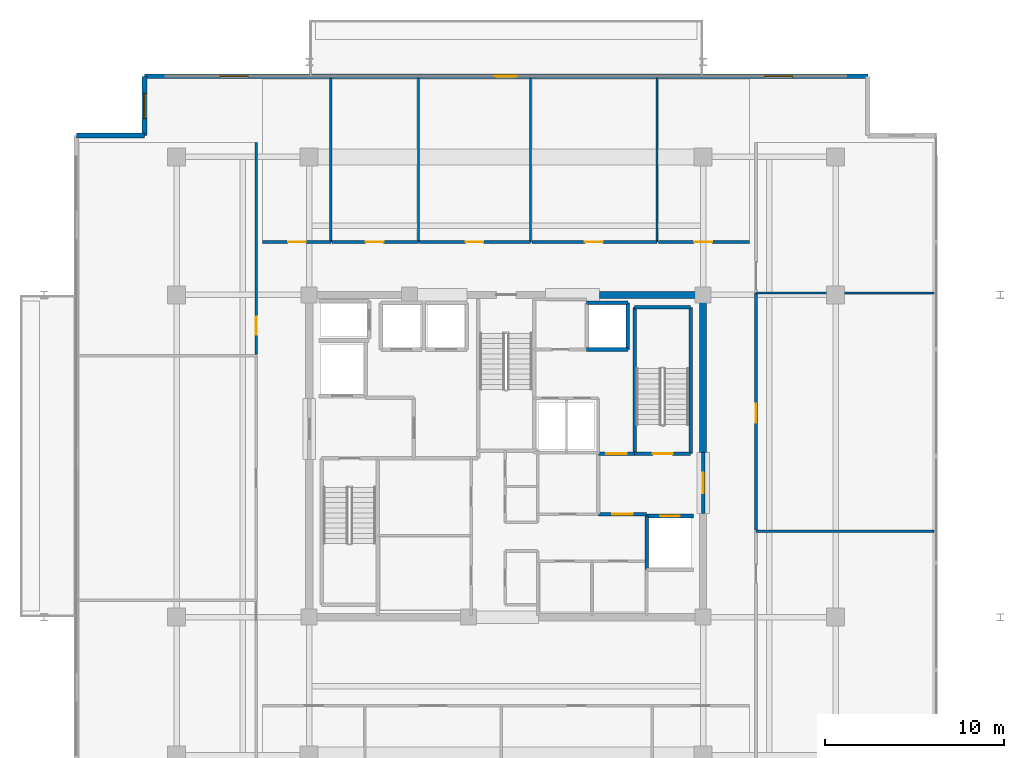
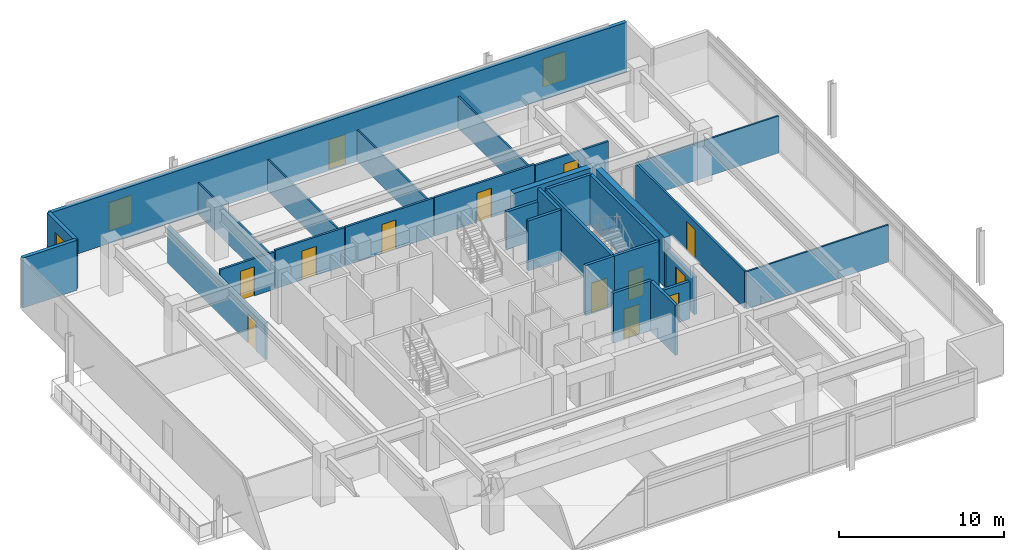
# One storey, part 13 of 18: 30 walls, 13 doors, 3 windows, 16 openings.
"""IFC4 building model written with IfcOpenShell, lengths in metres."""

from ifc_helpers import new_model, si_unit, direction, frame, frame_2d, origin, place, context, subcontext, project, spatial, rectangle, extrude, material, layer, layer_set, type_object, element, fill, save


model = new_model("IFC4")

# Units and contexts
model_context = context("Model", 3, precision=1e-05, world=origin(), true_north=direction((0.0, 1.0)))
body_context = subcontext(model_context, "Body", "Model", "MODEL_VIEW")
ifc_project = project(units=[si_unit("LENGTHUNIT", "METRE"), si_unit("AREAUNIT", "SQUARE_METRE"), si_unit("VOLUMEUNIT", "CUBIC_METRE"), si_unit("PLANEANGLEUNIT", "RADIAN"), si_unit("MASSUNIT", "GRAM", prefix="KILO")], contexts=[model_context])

# Site, building, storey
site_placement = place(None, origin())
site = spatial("IfcSite", under=ifc_project, at=site_placement, CompositionType="ELEMENT")
building_placement = place(site_placement, origin())
building = spatial("IfcBuilding", under=site, at=building_placement, Name="Kovane Verandah Tower", CompositionType="ELEMENT")
storey_placement = place(building_placement, frame((0.0, 0.0, 338.800048828125)))
storey = spatial("IfcBuildingStorey", under=building, at=storey_placement, Name="L79", CompositionType="ELEMENT", Elevation=338.800048828125)

# Wall, opening, door
ifc_material_1 = material(Name="Fire-Rated Gypsum Stud Partition", Category="gypsum")
ifc_layer_1 = layer(ifc_material_1, 0.14990234375)
ifc_layer_set_1 = layer_set([ifc_layer_1], Name="Fire-Rated Gypsum Stud Partition")
wall_type_1 = type_object("IfcWallType", Name="WL-COR-150", PredefinedType="PARTITIONING", material=ifc_layer_set_1)
wall_1_placement = place(storey_placement, frame((26.39990234375, 39.449951171875, 0.0), z_axis=(0.0, 0.0, 1.0), x_axis=(1.0, 0.0, 0.0)))
wall_1 = element("IfcWall", 1, at=wall_1_placement, inside=storey, type_object=wall_type_1, Name="L79 Focus Studio N1 Corridor Partition", PredefinedType="PARTITIONING", context=body_context, shape_type="SweptSolid", body=[
    extrude(rectangle(XDim=3.80810546875, YDim=0.14990234375, at=frame_2d((1.904052734375, 0.0))), origin(), (0.0, 0.0, 1.0), 2.75341796875),
])
opening_1_placement = place(wall_1_placement, frame((1.4189453125, 0.0, 0.0)))
opening_1 = element("IfcOpeningElement", 2, at=opening_1_placement, cuts=wall_1, Name="Opening DR-L79-022", PredefinedType="OPENING", context=body_context, shape_type="SweptSolid", body=[
    extrude(rectangle(XDim=1.0, YDim=2.14990234375, at=frame_2d((0.5, 1.074951171875))), frame((0.0, 0.074951171875, 0.0), z_axis=(0.0, -1.0, 0.0), x_axis=(1.0, 0.0, 0.0)), (0.0, 0.0, 1.0), 0.14990234375),
])
ifc_material_2 = material(Name="FSC Spotted-Gum Timber Fire-Rated Office Door", Category="wood")
door_type_1 = type_object("IfcDoorType", Name="DR-OFF-1000", OperationType="SINGLE_SWING_LEFT", PredefinedType="DOOR", material=ifc_material_2)
door_1_placement = place(opening_1_placement, origin())
door_1 = element("IfcDoor", 3, at=door_1_placement, inside=storey, type_object=door_type_1, Name="L79 Focus Studio N1 Entrance Door", OperationType="SINGLE_SWING_RIGHT", OverallHeight=2.14990234375, OverallWidth=1.0, PredefinedType="DOOR", context=body_context, shape_type="SweptSolid", body=[
    extrude(rectangle(XDim=1.0, YDim=2.14990234375, at=frame_2d((0.5, 1.074951171875))), frame((0.0, 0.02490234375, 0.0), z_axis=(0.0, -1.0, 0.0), x_axis=(1.0, 0.0, 0.0)), (0.0, 0.0, 1.0), 0.050048828125),
])
fill(opening_1, door_1)

wall_2_placement = place(storey_placement, frame((30.278076171875, 39.449951171875, 0.0), z_axis=(0.0, 0.0, 1.0), x_axis=(1.0, 0.0, 0.0)))
wall_2 = element("IfcWall", 4, at=wall_2_placement, inside=storey, type_object=wall_type_1, Name="L79 Breakout Pantry N2 Corridor Partition", PredefinedType="PARTITIONING", context=body_context, shape_type="SweptSolid", body=[
    extrude(rectangle(XDim=4.825927734375, YDim=0.14990234375, at=frame_2d((2.4130859375, 0.0))), origin(), (0.0, 0.0, 1.0), 2.849853515625),
])
opening_2_placement = place(wall_2_placement, frame((1.8779296875, 0.0, 0.0)))
opening_2 = element("IfcOpeningElement", 5, at=opening_2_placement, cuts=wall_2, Name="Opening DR-L79-023", PredefinedType="OPENING", context=body_context, shape_type="SweptSolid", body=[
    extrude(rectangle(XDim=1.0, YDim=2.14990234375, at=frame_2d((0.5, 1.074951171875))), frame((0.0, 0.074951171875, 0.0), z_axis=(0.0, -1.0, 0.0), x_axis=(1.0, 0.0, 0.0)), (0.0, 0.0, 1.0), 0.14990234375),
])
door_2_placement = place(opening_2_placement, origin())
door_2 = element("IfcDoor", 6, at=door_2_placement, inside=storey, type_object=door_type_1, Name="L79 Breakout Pantry N2 Entrance Door", OperationType="SINGLE_SWING_LEFT", OverallHeight=2.14990234375, OverallWidth=1.0, PredefinedType="DOOR", context=body_context, shape_type="SweptSolid", body=[
    extrude(rectangle(XDim=1.0, YDim=2.14990234375, at=frame_2d((0.5, 1.074951171875))), frame((0.0, 0.02490234375, 0.0), z_axis=(0.0, -1.0, 0.0), x_axis=(1.0, 0.0, 0.0)), (0.0, 0.0, 1.0), 0.050048828125),
])
fill(opening_2, door_2)

wall_3_placement = place(storey_placement, frame((35.174072265625, 39.449951171875, 0.0), z_axis=(0.0, 0.0, 1.0), x_axis=(1.0, 0.0, 0.0)))
wall_3 = element("IfcWall", 7, at=wall_3_placement, inside=storey, type_object=wall_type_1, Name="L79 Collaboration Hub N3 Corridor Partition", PredefinedType="PARTITIONING", context=body_context, shape_type="SweptSolid", body=[
    extrude(rectangle(XDim=6.18603515625, YDim=0.14990234375, at=frame_2d((3.093017578125, 0.0))), origin(), (0.0, 0.0, 1.0), 2.849853515625),
])
opening_3_placement = place(wall_3_placement, frame((2.55810546875, 0.0, 0.0)))
opening_3 = element("IfcOpeningElement", 8, at=opening_3_placement, cuts=wall_3, Name="Opening DR-L79-024", PredefinedType="OPENING", context=body_context, shape_type="SweptSolid", body=[
    extrude(rectangle(XDim=1.0, YDim=2.14990234375, at=frame_2d((0.5, 1.074951171875))), frame((0.0, 0.074951171875, 0.0), z_axis=(0.0, -1.0, 0.0), x_axis=(1.0, 0.0, 0.0)), (0.0, 0.0, 1.0), 0.14990234375),
])
door_3_placement = place(opening_3_placement, origin())
door_3 = element("IfcDoor", 9, at=door_3_placement, inside=storey, type_object=door_type_1, Name="L79 Collaboration Hub N3 Entrance Door", OperationType="SINGLE_SWING_RIGHT", OverallHeight=2.14990234375, OverallWidth=1.0, PredefinedType="DOOR", context=body_context, shape_type="SweptSolid", body=[
    extrude(rectangle(XDim=1.0, YDim=2.14990234375, at=frame_2d((0.5, 1.074951171875))), frame((0.0, 0.02490234375, 0.0), z_axis=(0.0, -1.0, 0.0), x_axis=(1.0, 0.0, 0.0)), (0.0, 0.0, 1.0), 0.050048828125),
])
fill(opening_3, door_3)

wall_4_placement = place(storey_placement, frame((41.429931640625, 39.449951171875, 0.0), z_axis=(0.0, 0.0, 1.0), x_axis=(1.0, 0.0, 0.0)))
wall_4 = element("IfcWall", 10, at=wall_4_placement, inside=storey, type_object=wall_type_1, Name="L79 Document and Print Room N4 Corridor Partition", PredefinedType="PARTITIONING", context=body_context, shape_type="SweptSolid", body=[
    extrude(rectangle(XDim=7.001953125, YDim=0.14990234375, at=frame_2d((3.5009765625, 0.0))), origin(), (0.0, 0.0, 1.0), 2.849853515625),
])
opening_4_placement = place(wall_4_placement, frame((2.966064453125, 0.0, 0.0)))
opening_4 = element("IfcOpeningElement", 11, at=opening_4_placement, cuts=wall_4, Name="Opening DR-L79-025", PredefinedType="OPENING", context=body_context, shape_type="SweptSolid", body=[
    extrude(rectangle(XDim=1.0, YDim=2.14990234375, at=frame_2d((0.5, 1.074951171875))), frame((0.0, 0.074951171875, 0.0), z_axis=(0.0, -1.0, 0.0), x_axis=(1.0, 0.0, 0.0)), (0.0, 0.0, 1.0), 0.14990234375),
])
door_4_placement = place(opening_4_placement, origin())
door_4 = element("IfcDoor", 12, at=door_4_placement, inside=storey, type_object=door_type_1, Name="L79 Document and Print Room N4 Entrance Door", OperationType="SINGLE_SWING_LEFT", OverallHeight=2.14990234375, OverallWidth=1.0, PredefinedType="DOOR", context=body_context, shape_type="SweptSolid", body=[
    extrude(rectangle(XDim=1.0, YDim=2.14990234375, at=frame_2d((0.5, 1.074951171875))), frame((0.0, 0.02490234375, 0.0), z_axis=(0.0, -1.0, 0.0), x_axis=(1.0, 0.0, 0.0)), (0.0, 0.0, 1.0), 0.050048828125),
])
fill(opening_4, door_4)

wall_5_placement = place(storey_placement, frame((48.501953125, 39.449951171875, 0.0), z_axis=(0.0, 0.0, 1.0), x_axis=(1.0, 0.0, 0.0)))
wall_5 = element("IfcWall", 13, at=wall_5_placement, inside=storey, type_object=wall_type_1, Name="L79 Open Plan Office N5 Corridor Partition", PredefinedType="PARTITIONING", context=body_context, shape_type="SweptSolid", body=[
    extrude(rectangle(XDim=5.09814453125, YDim=0.14990234375, at=frame_2d((2.549072265625, 0.0))), origin(), (0.0, 0.0, 1.0), 2.75341796875),
])
opening_5_placement = place(wall_5_placement, frame((1.9990234375, 0.0, 0.0)))
opening_5 = element("IfcOpeningElement", 14, at=opening_5_placement, cuts=wall_5, Name="Opening DR-L79-026", PredefinedType="OPENING", context=body_context, shape_type="SweptSolid", body=[
    extrude(rectangle(XDim=1.0, YDim=2.14990234375, at=frame_2d((0.5, 1.074951171875))), frame((0.0, 0.074951171875, 0.0), z_axis=(0.0, -1.0, 0.0), x_axis=(1.0, 0.0, 0.0)), (0.0, 0.0, 1.0), 0.14990234375),
])
door_5_placement = place(opening_5_placement, origin())
door_5 = element("IfcDoor", 15, at=door_5_placement, inside=storey, type_object=door_type_1, Name="L79 Open Plan Office N5 Entrance Door", OperationType="SINGLE_SWING_RIGHT", OverallHeight=2.14990234375, OverallWidth=1.0, PredefinedType="DOOR", context=body_context, shape_type="SweptSolid", body=[
    extrude(rectangle(XDim=1.0, YDim=2.14990234375, at=frame_2d((0.5, 1.074951171875))), frame((0.0, 0.02490234375, 0.0), z_axis=(0.0, -1.0, 0.0), x_axis=(1.0, 0.0, 0.0)), (0.0, 0.0, 1.0), 0.050048828125),
])
fill(opening_5, door_5)

wall_6_placement = place(storey_placement, frame((26.050048828125, 33.169921875, 0.0), z_axis=(0.0, 0.0, 1.0), x_axis=(0.0, 1.0, 0.0)))
wall_6 = element("IfcWall", 16, at=wall_6_placement, inside=storey, type_object=wall_type_1, Name="L79 Document and Print Room W3 Corridor Partition", PredefinedType="PARTITIONING", context=body_context, shape_type="SweptSolid", body=[
    extrude(rectangle(XDim=11.830078125, YDim=0.14990234375, at=frame_2d((5.9150390625, 0.0))), origin(), (0.0, 0.0, 1.0), 2.75341796875),
])
opening_6_placement = place(wall_6_placement, frame((1.114990234375, 0.0, 0.0)))
opening_6 = element("IfcOpeningElement", 17, at=opening_6_placement, cuts=wall_6, Name="Opening DR-L79-036", PredefinedType="OPENING", context=body_context, shape_type="SweptSolid", body=[
    extrude(rectangle(XDim=1.0, YDim=2.14990234375, at=frame_2d((0.5, 1.074951171875))), frame((0.0, 0.074951171875, 0.0), z_axis=(0.0, -1.0, 0.0), x_axis=(1.0, 0.0, 0.0)), (0.0, 0.0, 1.0), 0.14990234375),
])
door_6_placement = place(opening_6_placement, origin())
door_6 = element("IfcDoor", 18, at=door_6_placement, inside=storey, type_object=door_type_1, Name="L79 Document and Print Room W3 Entrance Door", OperationType="SINGLE_SWING_LEFT", OverallHeight=2.14990234375, OverallWidth=1.0, PredefinedType="DOOR", context=body_context, shape_type="SweptSolid", body=[
    extrude(rectangle(XDim=1.0, YDim=2.14990234375, at=frame_2d((0.5, 1.074951171875))), frame((0.0, 0.02490234375, 0.0), z_axis=(0.0, -1.0, 0.0), x_axis=(1.0, 0.0, 0.0)), (0.0, 0.0, 1.0), 0.050048828125),
])
fill(opening_6, door_6)

wall_7_placement = place(storey_placement, frame((53.949951171875, 23.3701171875, 0.0), z_axis=(0.0, 0.0, 1.0), x_axis=(0.0, 1.0, 0.0)))
wall_7 = element("IfcWall", 19, at=wall_7_placement, inside=storey, type_object=wall_type_1, Name="L79 Executive Office E2 Corridor Partition", PredefinedType="PARTITIONING", context=body_context, shape_type="SweptSolid", body=[
    extrude(rectangle(XDim=13.22998046875, YDim=0.14990234375, at=frame_2d((6.614990234375, 0.0))), origin(), (0.0, 0.0, 1.0), 2.75341796875),
])
opening_7_placement = place(wall_7_placement, frame((5.989990234375, 0.0, 0.0)))
opening_7 = element("IfcOpeningElement", 20, at=opening_7_placement, cuts=wall_7, Name="Opening DR-L79-012", PredefinedType="OPENING", context=body_context, shape_type="SweptSolid", body=[
    extrude(rectangle(XDim=1.050048828125, YDim=2.199951171875, at=frame_2d((0.52490234375, 1.10009765625))), frame((0.0, 0.074951171875, 0.0), z_axis=(0.0, -1.0, 0.0), x_axis=(1.0, 0.0, 0.0)), (0.0, 0.0, 1.0), 0.14990234375),
])
ifc_material_3 = material(Name="FSC Blackbutt Timber Fire-Rated Executive Door", Category="wood")
door_type_2 = type_object("IfcDoorType", Name="DR-EXEC-1050", OperationType="SINGLE_SWING_LEFT", PredefinedType="DOOR", material=ifc_material_3)
door_7_placement = place(opening_7_placement, origin())
door_7 = element("IfcDoor", 21, at=door_7_placement, inside=storey, type_object=door_type_2, Name="L79 Executive Office E2 Entrance Door", OperationType="SINGLE_SWING_LEFT", OverallHeight=2.199951171875, OverallWidth=1.050048828125, PredefinedType="DOOR", context=body_context, shape_type="SweptSolid", body=[
    extrude(rectangle(XDim=1.050048828125, YDim=2.199951171875, at=frame_2d((0.52490234375, 1.10009765625))), frame((0.0, 0.02490234375, 0.0), z_axis=(0.0, -1.0, 0.0), x_axis=(1.0, 0.0, 0.0)), (0.0, 0.0, 1.0), 0.050048828125),
])
fill(opening_7, door_7)

# Walls
ifc_material_4 = material(Name="Concrete C60/75", Category="concrete")
ifc_layer_2 = layer(ifc_material_4, 0.39990234375)
ifc_layer_set_2 = layer_set([ifc_layer_2], Name="Concrete C60/75")
wall_type_2 = type_object("IfcWallType", Name="WL-CORE-400", PredefinedType="SHEAR", material=ifc_layer_set_2)
wall_8_placement = place(storey_placement, frame((45.199951171875, 36.5, 0.0), z_axis=(0.0, 0.0, 1.0), x_axis=(1.0, 0.0, 0.0)))
element("IfcWall", 22, at=wall_8_placement, inside=storey, type_object=wall_type_2, Name="L79 Core Shear Wall CN-3", PredefinedType="SHEAR", context=body_context, shape_type="SweptSolid", body=[
    extrude(rectangle(XDim=5.800048828125, YDim=0.39990234375, at=frame_2d((2.89990234375, 0.0))), origin(), (0.0, 0.0, 1.0), 3.699951171875),
])
wall_9_placement = place(storey_placement, frame((51.0, 27.699951171875, 0.0), z_axis=(0.0, 0.0, 1.0), x_axis=(0.0, 1.0, 0.0)))
element("IfcWall", 23, at=wall_9_placement, inside=storey, type_object=wall_type_2, Name="L79 Core Shear Wall CE-2", PredefinedType="SHEAR", context=body_context, shape_type="SweptSolid", body=[
    extrude(rectangle(XDim=8.800048828125, YDim=0.39990234375, at=frame_2d((4.39990234375, 0.0))), origin(), (0.0, 0.0, 1.0), 3.699951171875),
])

# Wall, opening, door
ifc_material_5 = material(Name="Concrete C45/55 Fire Wall", Category="concrete")
ifc_layer_3 = layer(ifc_material_5, 0.199951171875)
ifc_layer_set_3 = layer_set([ifc_layer_3], Name="Concrete C45/55 Fire Wall")
wall_type_3 = type_object("IfcWallType", Name="WL-FFL-200", PredefinedType="PARTITIONING", material=ifc_layer_set_3)
wall_10_placement = place(storey_placement, frame((45.14990234375, 24.25, 0.0), z_axis=(0.0, 0.0, 1.0), x_axis=(1.0, 0.0, 0.0)))
wall_10 = element("IfcWall", 24, at=wall_10_placement, inside=storey, type_object=wall_type_3, Name="W-L79-FFLE-S", PredefinedType="PARTITIONING", context=body_context, shape_type="SweptSolid", body=[
    extrude(rectangle(XDim=2.7001953125, YDim=0.199951171875, at=frame_2d((1.35009765625, 0.0))), origin(), (0.0, 0.0, 1.0), 3.699951171875),
])
opening_8_placement = place(wall_10_placement, frame((0.77490234375, 0.0, 0.0)))
opening_8 = element("IfcOpeningElement", 25, at=opening_8_placement, cuts=wall_10, Name="Opening DR-L79-003", PredefinedType="OPENING", context=body_context, shape_type="SweptSolid", body=[
    extrude(rectangle(XDim=1.14990234375, YDim=2.199951171875, at=frame_2d((0.574951171875, 1.10009765625))), frame((0.0, 0.10009765625, 0.0), z_axis=(0.0, -1.0, 0.0), x_axis=(1.0, 0.0, 0.0)), (0.0, 0.0, 1.0), 0.199951171875),
])
ifc_material_6 = material(Name="Smoke-Sealed Firefighting Lobby Door", Category="steel")
door_type_3 = type_object("IfcDoorType", Name="DR-FFL-1150", OperationType="SINGLE_SWING_LEFT", PredefinedType="DOOR", material=ifc_material_6)
door_8_placement = place(opening_8_placement, origin())
door_8 = element("IfcDoor", 26, at=door_8_placement, inside=storey, type_object=door_type_3, Name="L79 East Firefighting Lobby Inner Door", OperationType="SINGLE_SWING_RIGHT", OverallHeight=2.199951171875, OverallWidth=1.14990234375, PredefinedType="DOOR", context=body_context, shape_type="SweptSolid", body=[
    extrude(rectangle(XDim=1.14990234375, YDim=2.199951171875, at=frame_2d((0.574951171875, 1.10009765625))), frame((0.0, 0.02490234375, 0.0), z_axis=(0.0, -1.0, 0.0), x_axis=(1.0, 0.0, 0.0)), (0.0, 0.0, 1.0), 0.050048828125),
])
fill(opening_8, door_8)

wall_11_placement = place(storey_placement, frame((45.14990234375, 27.6201171875, 0.0), z_axis=(0.0, 0.0, 1.0), x_axis=(1.0, 0.0, 0.0)))
wall_11 = element("IfcWall", 27, at=wall_11_placement, inside=storey, type_object=wall_type_3, Name="W-L79-FFLE-N", PredefinedType="PARTITIONING", context=body_context, shape_type="SweptSolid", body=[
    extrude(rectangle(XDim=2.030029296875, YDim=0.199951171875, at=frame_2d((1.01513671875, 0.0))), origin(), (0.0, 0.0, 1.0), 3.699951171875),
])
opening_9_placement = place(wall_11_placement, frame((0.43994140625, 0.0, 0.0)))
opening_9 = element("IfcOpeningElement", 28, at=opening_9_placement, cuts=wall_11, Name="Opening DR-L79-004", PredefinedType="OPENING", context=body_context, shape_type="SweptSolid", body=[
    extrude(rectangle(XDim=1.14990234375, YDim=2.199951171875, at=frame_2d((0.574951171875, 1.10009765625))), frame((0.0, 0.10009765625, 0.0), z_axis=(0.0, -1.0, 0.0), x_axis=(1.0, 0.0, 0.0)), (0.0, 0.0, 1.0), 0.199951171875),
])
door_9_placement = place(opening_9_placement, origin())
door_9 = element("IfcDoor", 29, at=door_9_placement, inside=storey, type_object=door_type_3, Name="L79 East Firefighting Lobby Shuttle Link Door", OperationType="SINGLE_SWING_LEFT", OverallHeight=2.199951171875, OverallWidth=1.14990234375, PredefinedType="DOOR", context=body_context, shape_type="SweptSolid", body=[
    extrude(rectangle(XDim=1.14990234375, YDim=2.199951171875, at=frame_2d((0.574951171875, 1.10009765625))), frame((0.0, 0.02490234375, 0.0), z_axis=(0.0, -1.0, 0.0), x_axis=(1.0, 0.0, 0.0)), (0.0, 0.0, 1.0), 0.050048828125),
])
fill(opening_9, door_9)

wall_12_placement = place(storey_placement, frame((51.0, 24.300048828125, 0.0), z_axis=(0.0, 0.0, 1.0), x_axis=(0.0, 1.0, 0.0)))
wall_12 = element("IfcWall", 30, at=wall_12_placement, inside=storey, type_object=wall_type_3, Name="W-L79-FFLE-OUT", PredefinedType="PARTITIONING", context=body_context, shape_type="SweptSolid", body=[
    extrude(rectangle(XDim=3.39990234375, YDim=0.199951171875, at=frame_2d((1.699951171875, 0.0))), origin(), (0.0, 0.0, 1.0), 2.780029296875),
])
opening_10_placement = place(wall_12_placement, frame((1.125, 0.0, 0.0)))
opening_10 = element("IfcOpeningElement", 31, at=opening_10_placement, cuts=wall_12, Name="Opening DR-L79-005", PredefinedType="OPENING", context=body_context, shape_type="SweptSolid", body=[
    extrude(rectangle(XDim=1.14990234375, YDim=2.199951171875, at=frame_2d((0.574951171875, 1.10009765625))), frame((0.0, 0.10009765625, 0.0), z_axis=(0.0, -1.0, 0.0), x_axis=(1.0, 0.0, 0.0)), (0.0, 0.0, 1.0), 0.199951171875),
])
door_10_placement = place(opening_10_placement, origin())
door_10 = element("IfcDoor", 32, at=door_10_placement, inside=storey, type_object=door_type_3, Name="L79 East Firefighting Lobby Corridor Door", OperationType="SINGLE_SWING_LEFT", OverallHeight=2.199951171875, OverallWidth=1.14990234375, PredefinedType="DOOR", context=body_context, shape_type="SweptSolid", body=[
    extrude(rectangle(XDim=1.14990234375, YDim=2.199951171875, at=frame_2d((0.574951171875, 1.10009765625))), frame((0.0, 0.02490234375, 0.0), z_axis=(0.0, -1.0, 0.0), x_axis=(1.0, 0.0, 0.0)), (0.0, 0.0, 1.0), 0.050048828125),
])
fill(opening_10, door_10)

ifc_material_7 = material(Name="Concrete C45/55 Lift Shaft Wall", Category="concrete")
ifc_layer_4 = layer(ifc_material_7, 0.199951171875)
ifc_layer_set_4 = layer_set([ifc_layer_4], Name="Concrete C45/55 Lift Shaft Wall")
wall_type_4 = type_object("IfcWallType", Name="WL-LIFT-200", PredefinedType="SOLIDWALL", material=ifc_layer_set_4)
wall_13_placement = place(storey_placement, frame((50.449951171875, 24.14990234375, 0.0), z_axis=(0.0, 0.0, 1.0), x_axis=(-1.0, 0.0, 0.0)))
wall_13 = element("IfcWall", 33, at=wall_13_placement, inside=storey, type_object=wall_type_4, Name="L79 Lift FL-02 N Shaft Wall", PredefinedType="SOLIDWALL", context=body_context, shape_type="SweptSolid", body=[
    extrude(rectangle(XDim=2.599853515625, YDim=0.199951171875, at=frame_2d((1.2998046875, 0.0))), origin(), (0.0, 0.0, 1.0), 2.780029296875),
])
opening_11_placement = place(wall_13_placement, frame((0.75, 0.0, 0.0)))
opening_11 = element("IfcOpeningElement", 34, at=opening_11_placement, cuts=wall_13, Name="Opening LD-L79-002", PredefinedType="OPENING", context=body_context, shape_type="SweptSolid", body=[
    extrude(rectangle(XDim=1.10009765625, YDim=2.199951171875, at=frame_2d((0.550048828125, 1.10009765625))), frame((0.0, 0.10009765625, 0.0), z_axis=(0.0, -1.0, 0.0), x_axis=(1.0, 0.0, 0.0)), (0.0, 0.0, 1.0), 0.199951171875),
])
ifc_material_8 = material(Name="Brushed Stainless Steel Sliding Lift Landing Door", Category="steel")
door_type_4 = type_object("IfcDoorType", Name="DR-LIFT-1100", OperationType="SLIDING_TO_RIGHT", PredefinedType="DOOR", material=ifc_material_8)
door_11_placement = place(opening_11_placement, origin())
door_11 = element("IfcDoor", 35, at=door_11_placement, inside=storey, type_object=door_type_4, Name="L79 Lift FL-02 Sliding Landing Door", OperationType="SLIDING_TO_RIGHT", OverallHeight=2.199951171875, OverallWidth=1.10009765625, PredefinedType="DOOR", context=body_context, shape_type="SweptSolid", body=[
    extrude(rectangle(XDim=1.10009765625, YDim=2.199951171875, at=frame_2d((0.550048828125, 1.10009765625))), frame((0.0, 0.02490234375, 0.0), z_axis=(0.0, -1.0, 0.0), x_axis=(1.0, 0.0, 0.0)), (0.0, 0.0, 1.0), 0.050048828125),
])
fill(opening_11, door_11)

# Walls
wall_14_placement = place(storey_placement, frame((47.85009765625, 24.14990234375, 0.0), z_axis=(0.0, 0.0, 1.0), x_axis=(0.0, -1.0, 0.0)))
element("IfcWall", 36, at=wall_14_placement, inside=storey, type_object=wall_type_4, Name="L79 Lift FL-02 W Shaft Wall", PredefinedType="SOLIDWALL", context=body_context, shape_type="SweptSolid", body=[
    extrude(rectangle(XDim=3.0, YDim=0.199951171875, at=frame_2d((1.5, 0.0))), origin(), (0.0, 0.0, 1.0), 3.699951171875),
])
wall_15_placement = place(storey_placement, frame((44.5, 33.449951171875, 0.0), z_axis=(0.0, 0.0, 1.0), x_axis=(1.0, 0.0, 0.0)))
element("IfcWall", 37, at=wall_15_placement, inside=storey, type_object=wall_type_4, Name="L79 Lift OL-01 S Shaft Wall", PredefinedType="SOLIDWALL", context=body_context, shape_type="SweptSolid", body=[
    extrude(rectangle(XDim=2.300048828125, YDim=0.199951171875, at=frame_2d((1.14990234375, 0.0))), origin(), (0.0, 0.0, 1.0), 3.699951171875),
])
wall_16_placement = place(storey_placement, frame((46.800048828125, 36.050048828125, 0.0), z_axis=(0.0, 0.0, 1.0), x_axis=(-1.0, 0.0, 0.0)))
element("IfcWall", 38, at=wall_16_placement, inside=storey, type_object=wall_type_4, Name="L79 Lift OL-01 N Shaft Wall", PredefinedType="SOLIDWALL", context=body_context, shape_type="SweptSolid", body=[
    extrude(rectangle(XDim=2.300048828125, YDim=0.199951171875, at=frame_2d((1.14990234375, 0.0))), origin(), (0.0, 0.0, 1.0), 2.780029296875),
])
wall_17_placement = place(storey_placement, frame((46.800048828125, 33.449951171875, 0.0), z_axis=(0.0, 0.0, 1.0), x_axis=(0.0, 1.0, 0.0)))
element("IfcWall", 39, at=wall_17_placement, inside=storey, type_object=wall_type_4, Name="L79 Lift OL-01 E Shaft Wall", PredefinedType="SOLIDWALL", context=body_context, shape_type="SweptSolid", body=[
    extrude(rectangle(XDim=2.60009765625, YDim=0.199951171875, at=frame_2d((1.300048828125, 0.0))), origin(), (0.0, 0.0, 1.0), 3.699951171875),
])
ifc_material_9 = material(Name="Acoustic Fire-Rated Gypsum Partition", Category="gypsum")
ifc_layer_5 = layer(ifc_material_9, 0.1201171875)
ifc_layer_set_5 = layer_set([ifc_layer_5], Name="Acoustic Fire-Rated Gypsum Partition")
wall_type_5 = type_object("IfcWallType", Name="WL-PART-120", PredefinedType="PARTITIONING", material=ifc_layer_set_5)
for number, where, z_axis, x_axis, name in (
    (40, (30.2080078125, 39.449951171875, 0.0), (0.0, 0.0, 1.0), (0.0, 1.0, 0.0), "L79 Focus Studio N1 Dividing Partition"),
    (41, (35.10400390625, 39.449951171875, 0.0), (0.0, 0.0, 1.0), (0.0, 1.0, 0.0), "L79 Breakout Pantry N2 Dividing Partition"),
    (42, (41.360107421875, 39.449951171875, 0.0), (0.0, 0.0, 1.0), (0.0, 1.0, 0.0), "L79 Collaboration Hub N3 Dividing Partition"),
    (43, (48.431884765625, 39.449951171875, 0.0), (0.0, 0.0, 1.0), (0.0, 1.0, 0.0), "L79 Document and Print Room N4 Dividing Partition"),
):
    element("IfcWall", number, at=place(storey_placement, frame(where, z_axis=z_axis, x_axis=x_axis)), inside=storey, type_object=wall_type_5, Name=name, PredefinedType="PARTITIONING", context=body_context, shape_type="SweptSolid", body=[
        extrude(rectangle(XDim=9.150146484375, YDim=0.1201171875, at=frame_2d((4.5751953125, 0.0))), origin(), (0.0, 0.0, 1.0), 2.329833984375),
    ])
for number, where, z_axis, x_axis, name in (
    (44, (53.949951171875, 23.300048828125, 0.0), (0.0, 0.0, 1.0), (1.0, 0.0, 0.0), "L79 Open Plan Office E1 Dividing Partition"),
    (45, (53.949951171875, 36.60009765625, 0.0), (0.0, 0.0, 1.0), (1.0, 0.0, 0.0), "L79 Executive Office E2 Dividing Partition"),
):
    element("IfcWall", number, at=place(storey_placement, frame(where, z_axis=z_axis, x_axis=x_axis)), inside=storey, type_object=wall_type_5, Name=name, PredefinedType="PARTITIONING", context=body_context, shape_type="SweptSolid", body=[
        extrude(rectangle(XDim=9.949951171875, YDim=0.1201171875, at=frame_2d((4.97509765625, 0.0))), origin(), (0.0, 0.0, 1.0), 2.75341796875),
    ])
ifc_material_10 = material(Name="Concrete C45/55", Category="concrete")
ifc_layer_6 = layer(ifc_material_10, 0.199951171875)
ifc_layer_set_6 = layer_set([ifc_layer_6], Name="Concrete C45/55")
wall_type_6 = type_object("IfcWallType", Name="WL-SHAFT-200", PredefinedType="SOLIDWALL", material=ifc_layer_set_6)
wall_18_placement = place(storey_placement, frame((50.300048828125, 27.64990234375, 0.0), z_axis=(0.0, 0.0, 1.0), x_axis=(0.0, 1.0, 0.0)))
element("IfcWall", 46, at=wall_18_placement, inside=storey, type_object=wall_type_6, Name="W-L79-ST02-E", PredefinedType="SOLIDWALL", context=body_context, shape_type="SweptSolid", body=[
    extrude(rectangle(XDim=8.150146484375, YDim=0.199951171875, at=frame_2d((4.0751953125, 0.0))), origin(), (0.0, 0.0, 1.0), 3.699951171875),
])
wall_19_placement = place(storey_placement, frame((47.179931640625, 35.800048828125, 0.0), z_axis=(0.0, 0.0, 1.0), x_axis=(1.0, 0.0, 0.0)))
element("IfcWall", 47, at=wall_19_placement, inside=storey, type_object=wall_type_6, Name="W-L79-ST02-N", PredefinedType="SOLIDWALL", context=body_context, shape_type="SweptSolid", body=[
    extrude(rectangle(XDim=3.1201171875, YDim=0.199951171875, at=frame_2d((1.56005859375, 0.0))), origin(), (0.0, 0.0, 1.0), 3.699951171875),
])
wall_20_placement = place(storey_placement, frame((47.179931640625, 27.6201171875, 0.0), z_axis=(0.0, 0.0, 1.0), x_axis=(0.0, 1.0, 0.0)))
element("IfcWall", 48, at=wall_20_placement, inside=storey, type_object=wall_type_6, Name="W-L79-ST02-W", PredefinedType="SOLIDWALL", context=body_context, shape_type="SweptSolid", body=[
    extrude(rectangle(XDim=8.179931640625, YDim=0.199951171875, at=frame_2d((4.08984375, 0.0))), origin(), (0.0, 0.0, 1.0), 3.699951171875),
])

# Wall, opening, door
wall_21_placement = place(storey_placement, frame((47.179931640625, 27.6201171875, 0.0), z_axis=(0.0, 0.0, 1.0), x_axis=(1.0, 0.0, 0.0)))
wall_21 = element("IfcWall", 49, at=wall_21_placement, inside=storey, type_object=wall_type_6, Name="W-L79-ST02-S", PredefinedType="SOLIDWALL", context=body_context, shape_type="SweptSolid", body=[
    extrude(rectangle(XDim=3.1201171875, YDim=0.199951171875, at=frame_2d((1.56005859375, 0.0))), origin(), (0.0, 0.0, 1.0), 3.699951171875),
])
opening_12_placement = place(wall_21_placement, frame((1.010009765625, 0.0, 0.0)))
opening_12 = element("IfcOpeningElement", 50, at=opening_12_placement, cuts=wall_21, Name="Opening DR-L79-009", PredefinedType="OPENING", context=body_context, shape_type="SweptSolid", body=[
    extrude(rectangle(XDim=1.10009765625, YDim=2.14990234375, at=frame_2d((0.550048828125, 1.074951171875))), frame((0.0, 0.10009765625, 0.0), z_axis=(0.0, -1.0, 0.0), x_axis=(1.0, 0.0, 0.0)), (0.0, 0.0, 1.0), 0.199951171875),
])
ifc_material_11 = material(Name="Fire-Rated Steel Exit Door", Category="steel")
door_type_5 = type_object("IfcDoorType", Name="DR-STAIR-1100", OperationType="SINGLE_SWING_LEFT", PredefinedType="DOOR", material=ifc_material_11)
door_12_placement = place(opening_12_placement, origin())
door_12 = element("IfcDoor", 51, at=door_12_placement, inside=storey, type_object=door_type_5, Name="L79 ST-02 Fire Exit Stair Door", OperationType="SINGLE_SWING_LEFT", OverallHeight=2.14990234375, OverallWidth=1.10009765625, PredefinedType="DOOR", context=body_context, shape_type="SweptSolid", body=[
    extrude(rectangle(XDim=1.10009765625, YDim=2.14990234375, at=frame_2d((0.550048828125, 1.074951171875))), frame((0.0, 0.02490234375, 0.0), z_axis=(0.0, -1.0, 0.0), x_axis=(1.0, 0.0, 0.0)), (0.0, 0.0, 1.0), 0.050048828125),
])
fill(opening_12, door_12)

# Wall, openings, door, windows
ifc_material_12 = material(Name="Concrete C45/55 Insulated Spandrel Wall", Category="concrete")
ifc_layer_7 = layer(ifc_material_12, 0.260009765625)
ifc_layer_set_7 = layer_set([ifc_layer_7], Name="Concrete C45/55 Insulated Spandrel Wall")
wall_type_7 = type_object("IfcWallType", Name="WL-SPANDREL-260", PredefinedType="PARAPET", material=ifc_layer_set_7)
wall_22_placement = place(storey_placement, frame((60.199951171875, 48.699951171875, 0.0), z_axis=(0.0, 0.0, 1.0), x_axis=(-1.0, 0.0, 0.0)))
wall_22 = element("IfcWall", 52, at=wall_22_placement, inside=storey, type_object=wall_type_7, Name="L79 N Verandah Access Facade Wall", PredefinedType="PARAPET", context=body_context, shape_type="SweptSolid", body=[
    extrude(rectangle(XDim=40.39990234375, YDim=0.260009765625, at=frame_2d((20.199951171875, 0.0))), origin(), (0.0, 0.0, 1.0), 3.699951171875),
])
opening_13_placement = place(wall_22_placement, frame((4.199951171875, 0.0, 0.85009765625)))
opening_13 = element("IfcOpeningElement", 53, at=opening_13_placement, cuts=wall_22, Name="Opening W-02", PredefinedType="OPENING", context=body_context, shape_type="SweptSolid", body=[
    extrude(rectangle(XDim=1.60009765625, YDim=2.10009765625, at=frame_2d((0.800048828125, 1.050048828125))), frame((0.0, 0.1298828125, 0.0), z_axis=(0.0, -1.0, 0.0), x_axis=(1.0, 0.0, 0.0)), (0.0, 0.0, 1.0), 0.260009765625),
])
opening_14_placement = place(wall_22_placement, frame((19.60009765625, 0.0, 0.0)))
opening_14 = element("IfcOpeningElement", 54, at=opening_14_placement, cuts=wall_22, Name="Opening DR-L79-001", PredefinedType="OPENING", context=body_context, shape_type="SweptSolid", body=[
    extrude(rectangle(XDim=1.199951171875, YDim=2.199951171875, at=frame_2d((0.60009765625, 1.10009765625))), frame((0.0, 0.1298828125, 0.0), z_axis=(0.0, -1.0, 0.0), x_axis=(1.0, 0.0, 0.0)), (0.0, 0.0, 1.0), 0.260009765625),
])
opening_15_placement = place(wall_22_placement, frame((34.60009765625, 0.0, 0.85009765625)))
opening_15 = element("IfcOpeningElement", 55, at=opening_15_placement, cuts=wall_22, Name="Opening W-02", PredefinedType="OPENING", context=body_context, shape_type="SweptSolid", body=[
    extrude(rectangle(XDim=1.60009765625, YDim=2.10009765625, at=frame_2d((0.800048828125, 1.050048828125))), frame((0.0, 0.1298828125, 0.0), z_axis=(0.0, -1.0, 0.0), x_axis=(1.0, 0.0, 0.0)), (0.0, 0.0, 1.0), 0.260009765625),
])
ifc_material_13 = material(Name="Cyclone-Rated Glazed Balcony Leaf Door", Category="aluminium")
door_type_6 = type_object("IfcDoorType", Name="DR-BAL-1200x2200", OperationType="SINGLE_SWING_LEFT", PredefinedType="DOOR", material=ifc_material_13)
door_13_placement = place(opening_14_placement, origin())
door_13 = element("IfcDoor", 56, at=door_13_placement, inside=storey, type_object=door_type_6, Name="L79 N Planted Balcony Access Door", OperationType="SINGLE_SWING_LEFT", OverallHeight=2.199951171875, OverallWidth=1.199951171875, PredefinedType="DOOR", context=body_context, shape_type="SweptSolid", body=[
    extrude(rectangle(XDim=1.199951171875, YDim=2.199951171875, at=frame_2d((0.60009765625, 1.10009765625))), frame((0.0, 0.02490234375, 0.0), z_axis=(0.0, -1.0, 0.0), x_axis=(1.0, 0.0, 0.0)), (0.0, 0.0, 1.0), 0.050048828125),
])
fill(opening_14, door_13)
ifc_material_14 = material(Name="Clear Low-E Laminated Double Glazing in Anodised Frame", Category="glass")
window_type_1 = type_object("IfcWindowType", Name="WN-OPER-1600x2100", PartitioningType="SINGLE_PANEL", PredefinedType="WINDOW", material=ifc_material_14)
window_1_placement = place(opening_13_placement, origin())
window_1 = element("IfcWindow", 57, at=window_1_placement, inside=storey, type_object=window_type_1, Name="L79 N Verandah View Window 1", OverallHeight=2.10009765625, OverallWidth=1.60009765625, PartitioningType="SINGLE_PANEL", PredefinedType="WINDOW", context=body_context, shape_type="SweptSolid", body=[
    extrude(rectangle(XDim=1.60009765625, YDim=2.10009765625, at=frame_2d((0.800048828125, 1.050048828125))), frame((0.0, 0.030029296875, 0.0), z_axis=(0.0, -1.0, 0.0), x_axis=(1.0, 0.0, 0.0)), (0.0, 0.0, 1.0), 0.06005859375),
])
fill(opening_13, window_1)
window_2_placement = place(opening_15_placement, origin())
window_2 = element("IfcWindow", 58, at=window_2_placement, inside=storey, type_object=window_type_1, Name="L79 N Verandah View Window 2", OverallHeight=2.10009765625, OverallWidth=1.60009765625, PartitioningType="SINGLE_PANEL", PredefinedType="WINDOW", context=body_context, shape_type="SweptSolid", body=[
    extrude(rectangle(XDim=1.60009765625, YDim=2.10009765625, at=frame_2d((0.800048828125, 1.050048828125))), frame((0.0, 0.030029296875, 0.0), z_axis=(0.0, -1.0, 0.0), x_axis=(1.0, 0.0, 0.0)), (0.0, 0.0, 1.0), 0.06005859375),
])
fill(opening_15, window_2)

# Wall, opening, window
wall_23_placement = place(storey_placement, frame((19.800048828125, 48.699951171875, 0.0), z_axis=(0.0, 0.0, 1.0), x_axis=(0.0, -1.0, 0.0)))
wall_23 = element("IfcWall", 59, at=wall_23_placement, inside=storey, type_object=wall_type_7, Name="L79 NW Notch Cheek Wall 1", PredefinedType="PARAPET", context=body_context, shape_type="SweptSolid", body=[
    extrude(rectangle(XDim=3.300048828125, YDim=0.260009765625, at=frame_2d((1.64990234375, 0.0))), origin(), (0.0, 0.0, 1.0), 3.699951171875),
])
opening_16_placement = place(wall_23_placement, frame((0.949951171875, 0.0, 0.85009765625)))
opening_16 = element("IfcOpeningElement", 60, at=opening_16_placement, cuts=wall_23, Name="Opening W-01", PredefinedType="OPENING", context=body_context, shape_type="SweptSolid", body=[
    extrude(rectangle(XDim=1.39990234375, YDim=2.0, at=frame_2d((0.699951171875, 1.0))), frame((0.0, 0.1298828125, 0.0), z_axis=(0.0, -1.0, 0.0), x_axis=(1.0, 0.0, 0.0)), (0.0, 0.0, 1.0), 0.260009765625),
])
window_type_2 = type_object("IfcWindowType", Name="WN-OPER-1400x2000", PartitioningType="SINGLE_PANEL", PredefinedType="WINDOW", material=ifc_material_14)
window_3_placement = place(opening_16_placement, origin())
window_3 = element("IfcWindow", 61, at=window_3_placement, inside=storey, type_object=window_type_2, Name="L79 NW Re-Entrant Corner Operable Window", OverallHeight=2.0, OverallWidth=1.39990234375, PartitioningType="SINGLE_PANEL", PredefinedType="WINDOW", context=body_context, shape_type="SweptSolid", body=[
    extrude(rectangle(XDim=1.39990234375, YDim=2.0, at=frame_2d((0.699951171875, 1.0))), frame((0.0, 0.030029296875, 0.0), z_axis=(0.0, -1.0, 0.0), x_axis=(1.0, 0.0, 0.0)), (0.0, 0.0, 1.0), 0.06005859375),
])
fill(opening_16, window_3)

# Wall
wall_24_placement = place(storey_placement, frame((19.800048828125, 45.39990234375, 0.0), z_axis=(0.0, 0.0, 1.0), x_axis=(-1.0, 0.0, 0.0)))
element("IfcWall", 62, at=wall_24_placement, inside=storey, type_object=wall_type_7, Name="L79 NW Notch Cheek Wall 2", PredefinedType="PARAPET", context=body_context, shape_type="SweptSolid", body=[
    extrude(rectangle(XDim=3.800048828125, YDim=0.260009765625, at=frame_2d((1.89990234375, 0.0))), origin(), (0.0, 0.0, 1.0), 3.699951171875),
])

save(model, "model.ifc")
